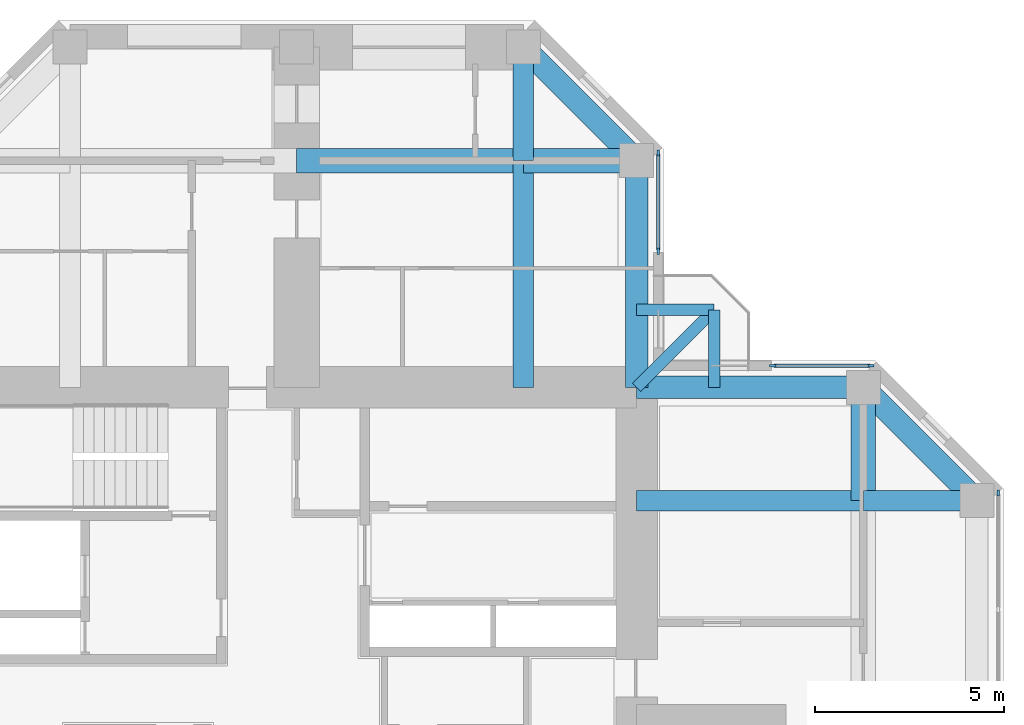
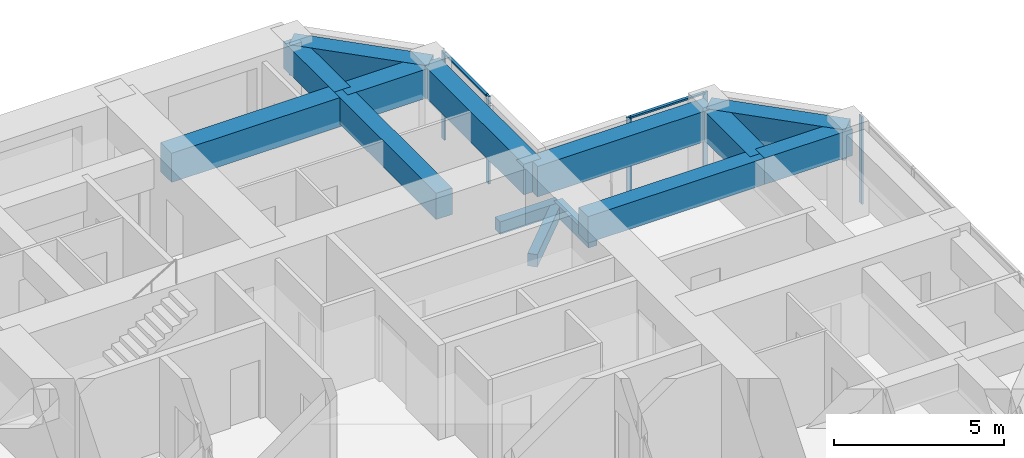
# One storey, part 6 of 14: 14 beams, 7 members, 3 elements without a shape of their own.
"""IFC4 building model written with IfcOpenShell, lengths in metres."""

from ifc_helpers import new_model, si_unit, direction, frame, origin, origin_2d, place, context, subcontext, project, spatial, rectangle, extrude, material, material_profile, profile_set, type_object, element, aggregate, save


model = new_model("IFC4")

# Units and contexts
model_context = context("Model", 3, precision=1e-05, world=origin(), true_north=direction((0.0, 1.0)))
body_context = subcontext(model_context, "Body", "Model", "MODEL_VIEW")
ifc_project = project(units=[si_unit("LENGTHUNIT", "METRE"), si_unit("AREAUNIT", "SQUARE_METRE"), si_unit("VOLUMEUNIT", "CUBIC_METRE"), si_unit("PLANEANGLEUNIT", "RADIAN"), si_unit("MASSUNIT", "GRAM", prefix="KILO")], contexts=[model_context])

# Site, building, storey
site_placement = place(None, origin())
site = spatial("IfcSite", under=ifc_project, at=site_placement, CompositionType="ELEMENT")
building_placement = place(site_placement, origin())
building = spatial("IfcBuilding", under=site, at=building_placement, Name="Torre Cruceta", CompositionType="ELEMENT")
storey_placement = place(building_placement, frame((0.0, 0.0, 213.699951171875)))
storey = spatial("IfcBuildingStorey", under=building, at=storey_placement, Name="L54", CompositionType="ELEMENT", Elevation=213.699951171875)

# Beams
ifc_material_1 = material(Name="Concrete G60 (fck 60 MPa)", Category="concrete")
ifc_material_profile_1 = material_profile(ifc_material_1, rectangle(XDim=0.300048828125, YDim=0.449951171875, at=origin_2d()), Name="RC 300X450")
ifc_profile_set_1 = profile_set([ifc_material_profile_1], Name="Concrete G60 (fck 60 MPa)")
beam_type_1 = type_object("IfcBeamType", Name="BALCONY CANTILEVER BEAM RC 300X450", PredefinedType="BEAM", material=ifc_profile_set_1)
beam_1_placement = place(storey_placement, frame((9.0, 9.0, -0.405029296875), z_axis=(0.707106781187, 0.707106781187, 0.0), x_axis=(-0.707106781187, 0.707106781187, 0.0)))
element("IfcBeam", 1, at=beam_1_placement, inside=storey, type_object=beam_type_1, Name="BB1 balcony beam L54 E", PredefinedType="BEAM", context=body_context, shape_type="SweptSolid", body=[
    extrude(rectangle(XDim=0.300048828125, YDim=0.449951171875, at=origin_2d()), origin(), (0.0, 0.0, 1.0), 2.89990234375),
])
for number, where, z_axis, x_axis, name in (
    (2, (11.050537109375, 9.0, -0.405029296875), (0.0, 1.0, 0.0), (-1.0, 0.0, 0.0), "BB1 balcony edge beam L54 E-X"),
    (3, (9.0, 11.050537109375, -0.405029296875), (1.0, 0.0, 0.0), (0.0, 1.0, 0.0), "BB1 balcony edge beam L54 E-Y"),
):
    element("IfcBeam", number, at=place(storey_placement, frame(where, z_axis=z_axis, x_axis=x_axis)), inside=storey, type_object=beam_type_1, Name=name, PredefinedType="BEAM", context=body_context, shape_type="SweptSolid", body=[
        extrude(rectangle(XDim=0.300048828125, YDim=0.449951171875, at=origin_2d()), origin(), (0.0, 0.0, 1.0), 2.050537109375),
    ])
ifc_material_2 = material(Name="Concrete G60 (fck 60 MPa)", Category="concrete")
ifc_material_profile_2 = material_profile(ifc_material_2, rectangle(XDim=0.550048828125, YDim=0.949951171875, at=origin_2d()), Name="RC 550X950")
ifc_profile_set_2 = profile_set([ifc_material_profile_2], Name="Concrete G60 (fck 60 MPa)")
beam_type_2 = type_object("IfcBeamType", Name="COLUMN LINE BEAM RC 550X950", PredefinedType="BEAM", material=ifc_profile_set_2)
beam_2_placement = place(storey_placement, frame((6.0, 9.0, 2.675048828125), z_axis=(0.0, 1.0, 0.0), x_axis=(-1.0, 0.0, 0.0)))
element("IfcBeam", 4, at=beam_2_placement, inside=storey, type_object=beam_type_2, Name="LB3 L54 N col- 1", PredefinedType="BEAM", context=body_context, shape_type="SweptSolid", body=[
    extrude(rectangle(XDim=0.550048828125, YDim=0.949951171875, at=origin_2d()), origin(), (0.0, 0.0, 1.0), 6.0),
])
beam_3_placement = place(storey_placement, frame((6.0, 15.0, 2.675048828125), z_axis=(0.0, 1.0, 0.0), x_axis=(-1.0, 0.0, 0.0)))
element("IfcBeam", 5, at=beam_3_placement, inside=storey, type_object=beam_type_2, Name="LB3 L54 N col- 2", PredefinedType="BEAM", context=body_context, shape_type="SweptSolid", body=[
    extrude(rectangle(XDim=0.550048828125, YDim=0.949951171875, at=origin_2d()), origin(), (0.0, 0.0, 1.0), 3.0),
])
beam_4_placement = place(storey_placement, frame((9.0, 6.0, 2.675048828125), z_axis=(1.0, 0.0, 0.0), x_axis=(0.0, 1.0, 0.0)))
element("IfcBeam", 6, at=beam_4_placement, inside=storey, type_object=beam_type_2, Name="LB3 L54 E col+ 1", PredefinedType="BEAM", context=body_context, shape_type="SweptSolid", body=[
    extrude(rectangle(XDim=0.550048828125, YDim=0.949951171875, at=origin_2d()), origin(), (0.0, 0.0, 1.0), 6.0),
])
beam_5_placement = place(storey_placement, frame((15.0, 6.0, 2.675048828125), z_axis=(1.0, 0.0, 0.0), x_axis=(0.0, 1.0, 0.0)))
element("IfcBeam", 7, at=beam_5_placement, inside=storey, type_object=beam_type_2, Name="LB3 L54 E col+ 2", PredefinedType="BEAM", context=body_context, shape_type="SweptSolid", body=[
    extrude(rectangle(XDim=0.550048828125, YDim=0.949951171875, at=origin_2d()), origin(), (0.0, 0.0, 1.0), 3.0),
])
ifc_material_3 = material(Name="Concrete G60 (fck 60 MPa)", Category="concrete")
ifc_material_profile_3 = material_profile(ifc_material_3, rectangle(XDim=0.64990234375, YDim=1.050048828125, at=origin_2d()), Name="RC 650X1050")
ifc_profile_set_3 = profile_set([ifc_material_profile_3], Name="Concrete G60 (fck 60 MPa)")
beam_type_3 = type_object("IfcBeamType", Name="CROSS BEAM RC 650X1050", PredefinedType="BEAM", material=ifc_profile_set_3)
beam_6_placement = place(storey_placement, frame((9.0, 15.0, 2.625), z_axis=(-1.0, 0.0, 0.0), x_axis=(0.0, -1.0, 0.0)))
element("IfcBeam", 8, at=beam_6_placement, inside=storey, type_object=beam_type_3, Name="GB3 L54 N cross15 1", PredefinedType="BEAM", context=body_context, shape_type="SweptSolid", body=[
    extrude(rectangle(XDim=0.64990234375, YDim=1.050048828125, at=origin_2d()), origin(), (0.0, 0.0, 1.0), 3.0),
])
beam_7_placement = place(storey_placement, frame((6.0, 15.0, 2.625), z_axis=(-1.0, 0.0, 0.0), x_axis=(0.0, -1.0, 0.0)))
element("IfcBeam", 9, at=beam_7_placement, inside=storey, type_object=beam_type_3, Name="GB3 L54 N cross15 2", PredefinedType="BEAM", context=body_context, shape_type="SweptSolid", body=[
    extrude(rectangle(XDim=0.64990234375, YDim=1.050048828125, at=origin_2d()), origin(), (0.0, 0.0, 1.0), 6.0),
])
beam_8_placement = place(storey_placement, frame((15.0, 6.0, 2.625), z_axis=(0.0, 1.0, 0.0), x_axis=(-1.0, 0.0, 0.0)))
element("IfcBeam", 10, at=beam_8_placement, inside=storey, type_object=beam_type_3, Name="GB3 L54 E cross15 4", PredefinedType="BEAM", context=body_context, shape_type="SweptSolid", body=[
    extrude(rectangle(XDim=0.64990234375, YDim=1.050048828125, at=origin_2d()), origin(), (0.0, 0.0, 1.0), 3.0),
])

# Curtain wall, member
ifc_material_4 = material(Name="Aluminium unitised curtain wall", Category="aluminium")
curtain_wall_type = type_object("IfcCurtainWallType", Name="CURTAIN WALL CW-C CO-LIVING", PredefinedType="USERDEFINED", material=ifc_material_4)
curtain_wall_1_placement = place(storey_placement, origin())
curtain_wall_1 = element("IfcCurtainWall", 11, at=curtain_wall_1_placement, inside=storey, type_object=curtain_wall_type, Name="CW-C L54 E tip 02", ObjectType="UNITISED", PredefinedType="USERDEFINED")
ifc_material_5 = material(Name="Aluminium mullion", Category="aluminium")
ifc_material_profile_4 = material_profile(ifc_material_5, rectangle(XDim=0.06005859375, YDim=0.159912109375, at=origin_2d()), Name="AL 60X160")
ifc_profile_set_4 = profile_set([ifc_material_profile_4], Name="Aluminium mullion")
member_type_1 = type_object("IfcMemberType", Name="CW-C MULLION 60X160", PredefinedType="MULLION", material=ifc_profile_set_4)
member_1_placement = place(storey_placement, frame((18.570068359375, 6.2060546875, 0.0), z_axis=(0.0, 0.0, 1.0), x_axis=(-1.0, 0.0, 0.0)))
member_1 = element("IfcMember", 12, at=member_1_placement, type_object=member_type_1, Name="CW-C mullion 5", PredefinedType="MULLION", context=body_context, shape_type="SweptSolid", body=[
    extrude(rectangle(XDim=0.06005859375, YDim=0.159912109375, at=origin_2d()), origin(), (0.0, 0.0, 1.0), 3.150146484375),
])
aggregate(curtain_wall_1, [member_1])

# Curtain wall, members
curtain_wall_2_placement = place(storey_placement, origin())
curtain_wall_2 = element("IfcCurtainWall", 13, at=curtain_wall_2_placement, inside=storey, type_object=curtain_wall_type, Name="CW-C L54 E side 04", ObjectType="UNITISED", PredefinedType="USERDEFINED")
member_2_placement = place(storey_placement, frame((15.2060546875, 9.570068359375, 0.0), z_axis=(0.0, 0.0, 1.0), x_axis=(0.0, -1.0, 0.0)))
member_2 = element("IfcMember", 14, at=member_2_placement, type_object=member_type_1, Name="CW-C mullion 1", PredefinedType="MULLION", context=body_context, shape_type="SweptSolid", body=[
    extrude(rectangle(XDim=0.06005859375, YDim=0.159912109375, at=origin_2d()), origin(), (0.0, 0.0, 1.0), 3.150146484375),
])
member_3_placement = place(storey_placement, frame((12.60009765625, 9.570068359375, 0.0), z_axis=(0.0, 0.0, 1.0), x_axis=(0.0, -1.0, 0.0)))
member_3 = element("IfcMember", 15, at=member_3_placement, type_object=member_type_1, Name="CW-C mullion 2", PredefinedType="MULLION", context=body_context, shape_type="SweptSolid", body=[
    extrude(rectangle(XDim=0.06005859375, YDim=0.159912109375, at=origin_2d()), origin(), (0.0, 0.0, 1.0), 3.150146484375),
])

curtain_wall_3_placement = place(storey_placement, origin())
curtain_wall_3 = element("IfcCurtainWall", 16, at=curtain_wall_3_placement, inside=storey, type_object=curtain_wall_type, Name="CW-C L54 N side 05", ObjectType="UNITISED", PredefinedType="USERDEFINED")
member_4_placement = place(storey_placement, frame((9.570068359375, 12.60009765625, 0.0), z_axis=(0.0, 0.0, 1.0), x_axis=(-1.0, 0.0, 0.0)))
member_4 = element("IfcMember", 17, at=member_4_placement, type_object=member_type_1, Name="CW-C mullion 1", PredefinedType="MULLION", context=body_context, shape_type="SweptSolid", body=[
    extrude(rectangle(XDim=0.06005859375, YDim=0.159912109375, at=origin_2d()), origin(), (0.0, 0.0, 1.0), 3.150146484375),
])
member_5_placement = place(storey_placement, frame((9.570068359375, 15.2060546875, 0.0), z_axis=(0.0, 0.0, 1.0), x_axis=(-1.0, 0.0, 0.0)))
member_5 = element("IfcMember", 18, at=member_5_placement, type_object=member_type_1, Name="CW-C mullion 2", PredefinedType="MULLION", context=body_context, shape_type="SweptSolid", body=[
    extrude(rectangle(XDim=0.06005859375, YDim=0.159912109375, at=origin_2d()), origin(), (0.0, 0.0, 1.0), 3.150146484375),
])

# Member
ifc_material_6 = material(Name="Aluminium transom", Category="aluminium")
ifc_material_profile_5 = material_profile(ifc_material_6, rectangle(XDim=0.10009765625, YDim=0.06005859375, at=origin_2d()), Name="AL 100X60")
ifc_profile_set_5 = profile_set([ifc_material_profile_5], Name="Aluminium transom")
member_type_2 = type_object("IfcMemberType", Name="CW-C TRANSOM 60X100", PredefinedType="USERDEFINED", material=ifc_profile_set_5)
member_6_placement = place(storey_placement, frame((15.176025390625, 9.570068359375, 3.1201171875), z_axis=(-1.0, 0.0, 0.0), x_axis=(0.0, -1.0, 0.0)))
member_6 = element("IfcMember", 19, at=member_6_placement, type_object=member_type_2, Name="CW-C transom 1", ObjectType="TRANSOM", PredefinedType="USERDEFINED", context=body_context, shape_type="SweptSolid", body=[
    extrude(rectangle(XDim=0.10009765625, YDim=0.06005859375, at=origin_2d()), origin(), (0.0, 0.0, 1.0), 2.546142578125),
])

aggregate(curtain_wall_2, [member_2, member_3, member_6])

member_7_placement = place(storey_placement, frame((9.570068359375, 12.6298828125, 3.1201171875), z_axis=(0.0, 1.0, 0.0), x_axis=(-1.0, 0.0, 0.0)))
member_7 = element("IfcMember", 20, at=member_7_placement, type_object=member_type_2, Name="CW-C transom 1", ObjectType="TRANSOM", PredefinedType="USERDEFINED", context=body_context, shape_type="SweptSolid", body=[
    extrude(rectangle(XDim=0.10009765625, YDim=0.06005859375, at=origin_2d()), origin(), (0.0, 0.0, 1.0), 2.546142578125),
])

aggregate(curtain_wall_3, [member_4, member_5, member_7])

# Beams
ifc_material_7 = material(Name="Concrete G60 (fck 60 MPa)", Category="concrete")
ifc_material_profile_6 = material_profile(ifc_material_7, rectangle(XDim=0.60009765625, YDim=1.10009765625, at=origin_2d()), Name="RC 600X1100")
ifc_profile_set_6 = profile_set([ifc_material_profile_6], Name="Concrete G60 (fck 60 MPa)")
beam_type_4 = type_object("IfcBeamType", Name="SPANDREL BEAM RC 600X1100", PredefinedType="SPANDREL", material=ifc_profile_set_6)
beam_9_placement = place(storey_placement, frame((9.0, 9.0, 2.60009765625), z_axis=(0.0, 1.0, 0.0), x_axis=(-1.0, 0.0, 0.0)))
element("IfcBeam", 21, at=beam_9_placement, inside=storey, type_object=beam_type_4, Name="SB2 L54 N side- 1", PredefinedType="SPANDREL", context=body_context, shape_type="SweptSolid", body=[
    extrude(rectangle(XDim=0.60009765625, YDim=1.10009765625, at=origin_2d()), origin(), (0.0, 0.0, 1.0), 6.0),
])
beam_10_placement = place(storey_placement, frame((9.0, 15.0, 2.60009765625), z_axis=(-0.707106781187, 0.707106781187, 0.0), x_axis=(-0.707106781187, -0.707106781187, 0.0)))
element("IfcBeam", 22, at=beam_10_placement, inside=storey, type_object=beam_type_4, Name="SB2 L54 N side- 2", PredefinedType="SPANDREL", context=body_context, shape_type="SweptSolid", body=[
    extrude(rectangle(XDim=0.60009765625, YDim=1.10009765625, at=origin_2d()), origin(), (0.0, 0.0, 1.0), 4.24267578125),
])
beam_11_placement = place(storey_placement, frame((9.0, 9.0, 2.60009765625), z_axis=(1.0, 0.0, 0.0), x_axis=(0.0, 1.0, 0.0)))
element("IfcBeam", 23, at=beam_11_placement, inside=storey, type_object=beam_type_4, Name="SB2 L54 E side+ 1", PredefinedType="SPANDREL", context=body_context, shape_type="SweptSolid", body=[
    extrude(rectangle(XDim=0.60009765625, YDim=1.10009765625, at=origin_2d()), origin(), (0.0, 0.0, 1.0), 6.0),
])
beam_12_placement = place(storey_placement, frame((15.0, 9.0, 2.60009765625), z_axis=(0.707106781187, -0.707106781187, 0.0), x_axis=(0.707106781187, 0.707106781187, 0.0)))
element("IfcBeam", 24, at=beam_12_placement, inside=storey, type_object=beam_type_4, Name="SB2 L54 E side+ 2", PredefinedType="SPANDREL", context=body_context, shape_type="SweptSolid", body=[
    extrude(rectangle(XDim=0.60009765625, YDim=1.10009765625, at=origin_2d()), origin(), (0.0, 0.0, 1.0), 4.24267578125),
])

save(model, "model.ifc")
